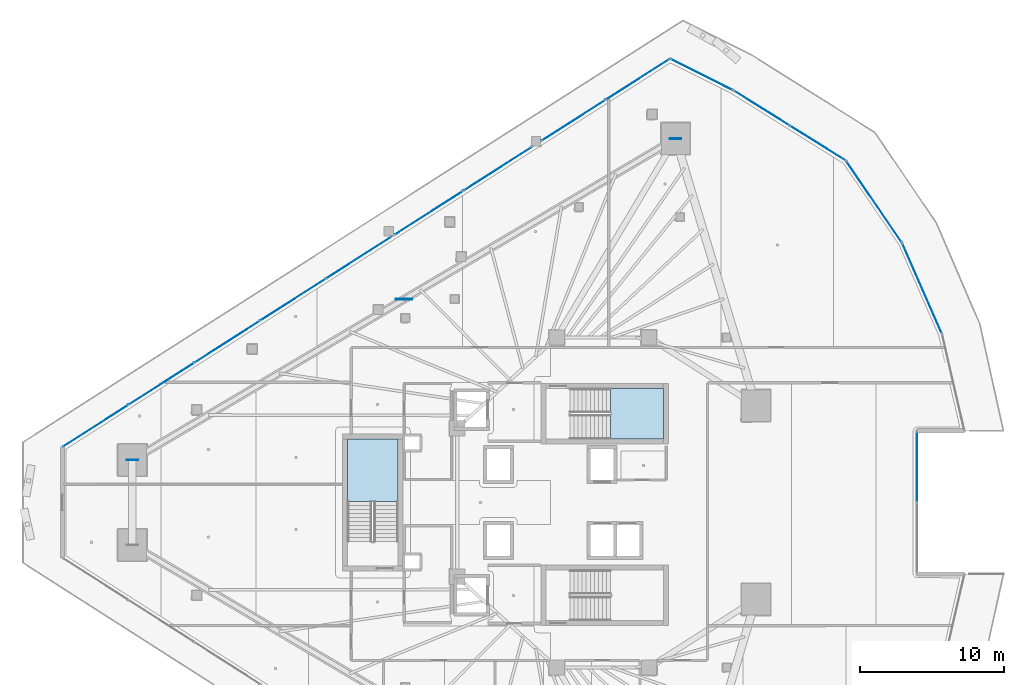
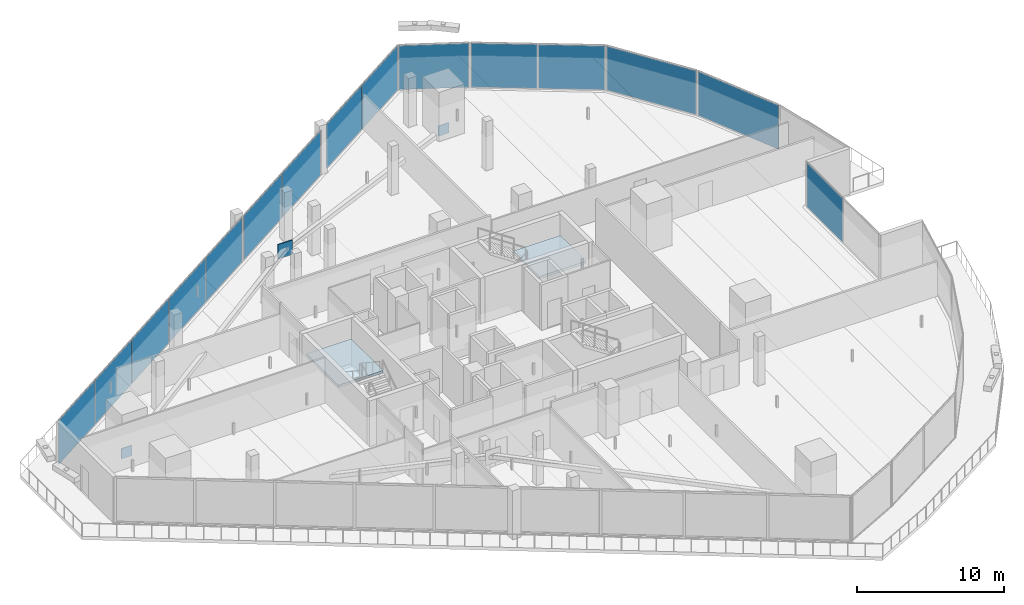
# One storey, part 29 of 45: 18 plates, 2 slabs, 10 elements without a shape of their own.
"""IFC4 building model written with IfcOpenShell, lengths in metres."""

from ifc_helpers import new_model, si_unit, direction, frame, origin, origin_2d, place, context, subcontext, project, spatial, polyline, rectangle, outline, extrude, material, layer, layer_set, type_object, element, aggregate, save


model = new_model("IFC4")

# Units and contexts
model_context = context("Model", 3, precision=1e-05, world=origin(), true_north=direction((0.0, 1.0)))
body_context = subcontext(model_context, "Body", "Model", "MODEL_VIEW")
ifc_project = project(units=[si_unit("LENGTHUNIT", "METRE"), si_unit("AREAUNIT", "SQUARE_METRE"), si_unit("VOLUMEUNIT", "CUBIC_METRE"), si_unit("PLANEANGLEUNIT", "RADIAN"), si_unit("MASSUNIT", "GRAM", prefix="KILO")], contexts=[model_context])

# Site, building, storey
site_placement = place(None, origin())
site = spatial("IfcSite", under=ifc_project, at=site_placement, CompositionType="ELEMENT")
building_placement = place(site_placement, origin())
building = spatial("IfcBuilding", under=site, at=building_placement, Name="Qorvath Tower", CompositionType="ELEMENT")
storey_placement = place(building_placement, frame((0.0, 0.0, 126.0)))
storey = spatial("IfcBuildingStorey", under=building, at=storey_placement, Name="L28", CompositionType="ELEMENT", Elevation=126.0)

# Curtain wall, plate
ifc_material_1 = material(Name="Anodised aluminium and triple low-E glass", Category="aluminium")
ifc_layer_1 = layer(ifc_material_1, 0.179931640625)
ifc_layer_set_1 = layer_set([ifc_layer_1], Name="CW-SYS-2")
curtain_wall_type = type_object("IfcCurtainWallType", Name="CW-SYS-2", PredefinedType="NOTDEFINED", material=ifc_layer_set_1)
curtain_wall_1_placement = place(storey_placement, origin())
curtain_wall_1 = element("IfcCurtainWall", 1, at=curtain_wall_1_placement, inside=storey, type_object=curtain_wall_type, Name="Curtain Wall CW-2 CW-T-L28-9.1", PredefinedType="NOTDEFINED")
ifc_material_2 = material(Name="Low-E triple insulated glass", Category="glass")
ifc_layer_2 = layer(ifc_material_2, 0.031982421875)
ifc_layer_set_2 = layer_set([ifc_layer_2], Name="CWP-GLZ-32")
plate_type_1 = type_object("IfcPlateType", Name="CWP-GLZ-32", PredefinedType="CURTAIN_PANEL", material=ifc_layer_set_2)
plate_1_placement = place(storey_placement, frame((1.386962890625, 2.4677734375, 0.06494140625), z_axis=(0.0, 0.0, 1.0), x_axis=(0.0, 1.0, 0.0)))
plate_1 = element("IfcPlate", 2, at=plate_1_placement, type_object=plate_type_1, Name="CW-2 panel 2.1", PredefinedType="CURTAIN_PANEL", context=body_context, shape_type="SweptSolid", body=[
    extrude(rectangle(XDim=4.87060546875, YDim=0.031982421875, at=origin_2d()), origin(), (0.0, 0.0, 1.0), 3.639892578125),
])
aggregate(curtain_wall_1, [plate_1])

curtain_wall_2_placement = place(storey_placement, origin())
curtain_wall_2 = element("IfcCurtainWall", 3, at=curtain_wall_2_placement, inside=storey, type_object=curtain_wall_type, Name="Curtain Wall CW-2 CW-T-L28-12.1", PredefinedType="NOTDEFINED")
plate_2_placement = place(storey_placement, frame((1.75830078125, 14.852294921875, 0.06494140625), z_axis=(0.0, 0.0, 1.0), x_axis=(-0.401648703602, 0.915793818987, 0.0)))
plate_2 = element("IfcPlate", 4, at=plate_2_placement, type_object=plate_type_1, Name="CW-2 panel 1.1", PredefinedType="CURTAIN_PANEL", context=body_context, shape_type="SweptSolid", body=[
    extrude(rectangle(XDim=6.771484375, YDim=0.031982421875, at=origin_2d()), origin(), (0.0, 0.0, 1.0), 3.639892578125),
])
aggregate(curtain_wall_2, [plate_2])

curtain_wall_3_placement = place(storey_placement, origin())
curtain_wall_3 = element("IfcCurtainWall", 5, at=curtain_wall_3_placement, inside=storey, type_object=curtain_wall_type, Name="Curtain Wall CW-2 CW-T-L28-13.1", PredefinedType="NOTDEFINED")
plate_3_placement = place(storey_placement, frame((-1.574462890625, 20.861572265625, 0.06494140625), z_axis=(0.0, 0.0, 1.0), x_axis=(-0.564163835208, 0.825662865244, 0.0)))
plate_3 = element("IfcPlate", 6, at=plate_3_placement, type_object=plate_type_1, Name="CW-2 panel 1.1", PredefinedType="CURTAIN_PANEL", context=body_context, shape_type="SweptSolid", body=[
    extrude(rectangle(XDim=6.771484375, YDim=0.031982421875, at=origin_2d()), origin(), (0.0, 0.0, 1.0), 3.639892578125),
])
aggregate(curtain_wall_3, [plate_3])

# Curtain wall, plates
curtain_wall_4_placement = place(storey_placement, origin())
curtain_wall_4 = element("IfcCurtainWall", 7, at=curtain_wall_4_placement, inside=storey, type_object=curtain_wall_type, Name="Curtain Wall CW-2 CW-T-L28-14.1", PredefinedType="NOTDEFINED")
plate_4_placement = place(storey_placement, frame((-5.4892578125, 24.939208984375, 0.06494140625), z_axis=(0.0, 0.0, 1.0), x_axis=(-0.84830786263, 0.529503324069, 0.0)))
plate_4 = element("IfcPlate", 8, at=plate_4_placement, type_object=plate_type_1, Name="CW-2 panel 1.1", PredefinedType="CURTAIN_PANEL", context=body_context, shape_type="SweptSolid", body=[
    extrude(rectangle(XDim=4.510009765625, YDim=0.031982421875, at=origin_2d()), origin(), (0.0, 0.0, 1.0), 3.639892578125),
])
plate_5_placement = place(storey_placement, frame((-9.370361328125, 27.361572265625, 0.06494140625), z_axis=(0.0, 0.0, 1.0), x_axis=(-0.84830786263, 0.529503324069, 0.0)))
plate_5 = element("IfcPlate", 9, at=plate_5_placement, type_object=plate_type_1, Name="CW-2 panel 2.1", PredefinedType="CURTAIN_PANEL", context=body_context, shape_type="SweptSolid", body=[
    extrude(rectangle(XDim=4.510009765625, YDim=0.031982421875, at=origin_2d()), origin(), (0.0, 0.0, 1.0), 3.639892578125),
])
aggregate(curtain_wall_4, [plate_4, plate_5])

# Curtain wall, plate
curtain_wall_5_placement = place(storey_placement, origin())
curtain_wall_5 = element("IfcCurtainWall", 10, at=curtain_wall_5_placement, inside=storey, type_object=curtain_wall_type, Name="Curtain Wall CW-2 CW-T-L28-15.1", PredefinedType="NOTDEFINED")
plate_6_placement = place(storey_placement, frame((-13.53759765625, 29.68994140625, 0.06494140625), z_axis=(0.0, 0.0, 1.0), x_axis=(-0.894402787992, 0.447262398188, 0.0)))
plate_6 = element("IfcPlate", 11, at=plate_6_placement, type_object=plate_type_1, Name="CW-2 panel 1.1", PredefinedType="CURTAIN_PANEL", context=body_context, shape_type="SweptSolid", body=[
    extrude(rectangle(XDim=4.78759765625, YDim=0.031982421875, at=origin_2d()), origin(), (0.0, 0.0, 1.0), 3.639892578125),
])
aggregate(curtain_wall_5, [plate_6])

# Curtain wall, plates
curtain_wall_6_placement = place(storey_placement, origin())
curtain_wall_6 = element("IfcCurtainWall", 12, at=curtain_wall_6_placement, inside=storey, type_object=curtain_wall_type, Name="Curtain Wall CW-2 CW-T-L28-16.1", PredefinedType="NOTDEFINED")
plate_7_placement = place(storey_placement, frame((-17.983154296875, 29.353759765625, 0.06494140625), z_axis=(0.0, 0.0, 1.0), x_axis=(-0.842594581481, -0.538548392681, 0.0)))
plate_7 = element("IfcPlate", 13, at=plate_7_placement, type_object=plate_type_1, Name="CW-2 panel 1.1", PredefinedType="CURTAIN_PANEL", context=body_context, shape_type="SweptSolid", body=[
    extrude(rectangle(XDim=5.201904296875, YDim=0.031982421875, at=origin_2d()), origin(), (0.0, 0.0, 1.0), 3.639892578125),
])
plate_8_placement = place(storey_placement, frame((-22.421142578125, 26.517333984375, 0.06494140625), z_axis=(0.0, 0.0, 1.0), x_axis=(-0.842594581481, -0.538548392681, 0.0)))
plate_8 = element("IfcPlate", 14, at=plate_8_placement, type_object=plate_type_1, Name="CW-2 panel 2.1", PredefinedType="CURTAIN_PANEL", context=body_context, shape_type="SweptSolid", body=[
    extrude(rectangle(XDim=5.201904296875, YDim=0.031982421875, at=origin_2d()), origin(), (0.0, 0.0, 1.0), 3.639892578125),
])
aggregate(curtain_wall_6, [plate_7, plate_8])

curtain_wall_7_placement = place(storey_placement, origin())
curtain_wall_7 = element("IfcCurtainWall", 15, at=curtain_wall_7_placement, inside=storey, type_object=curtain_wall_type, Name="Curtain Wall CW-2 CW-T-L28-16.2", PredefinedType="NOTDEFINED")
plate_9_placement = place(storey_placement, frame((-27.69580078125, 23.146240234375, 0.06494140625), z_axis=(0.0, 0.0, 1.0), x_axis=(-0.842606643442, -0.538529520478, 0.0)))
plate_9 = element("IfcPlate", 16, at=plate_9_placement, type_object=plate_type_1, Name="CW-2 panel 1.1", PredefinedType="CURTAIN_PANEL", context=body_context, shape_type="SweptSolid", body=[
    extrude(rectangle(XDim=5.5986328125, YDim=0.031982421875, at=origin_2d()), origin(), (0.0, 0.0, 1.0), 3.639892578125),
])
plate_10_placement = place(storey_placement, frame((-32.468017578125, 20.095947265625, 0.06494140625), z_axis=(0.0, 0.0, 1.0), x_axis=(-0.842606643442, -0.538529520478, 0.0)))
plate_10 = element("IfcPlate", 17, at=plate_10_placement, type_object=plate_type_1, Name="CW-2 panel 2.1", PredefinedType="CURTAIN_PANEL", context=body_context, shape_type="SweptSolid", body=[
    extrude(rectangle(XDim=5.5986328125, YDim=0.031982421875, at=origin_2d()), origin(), (0.0, 0.0, 1.0), 3.639892578125),
])
aggregate(curtain_wall_7, [plate_9, plate_10])

curtain_wall_8_placement = place(storey_placement, origin())
curtain_wall_8 = element("IfcCurtainWall", 18, at=curtain_wall_8_placement, inside=storey, type_object=curtain_wall_type, Name="Curtain Wall CW-2 CW-T-L28-16.3", PredefinedType="NOTDEFINED")
plate_11_placement = place(storey_placement, frame((-37.328857421875, 16.989501953125, 0.06494140625), z_axis=(0.0, 0.0, 1.0), x_axis=(-0.842603667285, -0.538534177075, 0.0)))
plate_11 = element("IfcPlate", 19, at=plate_11_placement, type_object=plate_type_1, Name="CW-2 panel 1.1", PredefinedType="CURTAIN_PANEL", context=body_context, shape_type="SweptSolid", body=[
    extrude(rectangle(XDim=5.32861328125, YDim=0.031982421875, at=origin_2d()), origin(), (0.0, 0.0, 1.0), 3.639892578125),
])
plate_12_placement = place(storey_placement, frame((-41.88720703125, 14.075927734375, 0.06494140625), z_axis=(0.0, 0.0, 1.0), x_axis=(-0.842603667285, -0.538534177075, 0.0)))
plate_12 = element("IfcPlate", 20, at=plate_12_placement, type_object=plate_type_1, Name="CW-2 panel 2.1", PredefinedType="CURTAIN_PANEL", context=body_context, shape_type="SweptSolid", body=[
    extrude(rectangle(XDim=5.361083984375, YDim=0.031982421875, at=origin_2d()), origin(), (0.0, 0.0, 1.0), 3.639892578125),
])
plate_13_placement = place(storey_placement, frame((-46.459228515625, 11.15380859375, 0.06494140625), z_axis=(0.0, 0.0, 1.0), x_axis=(-0.842603667285, -0.538534177075, 0.0)))
plate_13 = element("IfcPlate", 21, at=plate_13_placement, type_object=plate_type_1, Name="CW-2 panel 3.1", PredefinedType="CURTAIN_PANEL", context=body_context, shape_type="SweptSolid", body=[
    extrude(rectangle(XDim=5.361083984375, YDim=0.031982421875, at=origin_2d()), origin(), (0.0, 0.0, 1.0), 3.639892578125),
])
plate_14_placement = place(storey_placement, frame((-51.03125, 8.231689453125, 0.06494140625), z_axis=(0.0, 0.0, 1.0), x_axis=(-0.842603667285, -0.538534177075, 0.0)))
plate_14 = element("IfcPlate", 22, at=plate_14_placement, type_object=plate_type_1, Name="CW-2 panel 4.1", PredefinedType="CURTAIN_PANEL", context=body_context, shape_type="SweptSolid", body=[
    extrude(rectangle(XDim=5.361083984375, YDim=0.031982421875, at=origin_2d()), origin(), (0.0, 0.0, 1.0), 3.639892578125),
])
plate_15_placement = place(storey_placement, frame((-55.589599609375, 5.318359375, 0.06494140625), z_axis=(0.0, 0.0, 1.0), x_axis=(-0.842603667285, -0.538534177075, 0.0)))
plate_15 = element("IfcPlate", 23, at=plate_15_placement, type_object=plate_type_1, Name="CW-2 panel 5.1", PredefinedType="CURTAIN_PANEL", context=body_context, shape_type="SweptSolid", body=[
    extrude(rectangle(XDim=5.32861328125, YDim=0.031982421875, at=origin_2d()), origin(), (0.0, 0.0, 1.0), 3.639892578125),
])
aggregate(curtain_wall_8, [plate_11, plate_12, plate_13, plate_14, plate_15])

# Plates
ifc_material_3 = material(Name="Steel ASTM A572 Grade 50", Category="steel")
ifc_layer_3 = layer(ifc_material_3, 0.054931640625)
ifc_layer_set_3 = layer_set([ifc_layer_3], Name="PL-MBN1")
plate_type_2 = type_object("IfcPlateType", Name="PL-MBN1", PredefinedType="USERDEFINED", material=ifc_layer_set_3)
plate_16_placement = place(storey_placement, frame((-34.19677734375, 14.098388671875, 2.81982421875), z_axis=(0.0, 0.0, 1.0), x_axis=(1.0, 0.0, 0.0)))
element("IfcPlate", 24, at=plate_16_placement, inside=storey, type_object=plate_type_2, Name="Mega-Brace Chevron Apex Gusset L28-1", ObjectType="GUSSET", PredefinedType="USERDEFINED", context=body_context, shape_type="SweptSolid", body=[
    extrude(rectangle(XDim=1.14990234375, YDim=0.054931640625, at=origin_2d()), origin(), (0.0, 0.0, 1.0), 1.199951171875),
])
for number, where, z_axis, x_axis, name in (
    (25, (-15.34423828125, 25.24609375, -0.425048828125), (0.0, 0.0, 1.0), (1.0, 0.0, 0.0), "Brace Strut End Gusset Plate NDBG-089"),
    (26, (-53.04931640625, 2.95068359375, -0.425048828125), (0.0, 0.0, 1.0), (1.0, 0.0, 0.0), "Brace Strut End Gusset Plate NDBG-090"),
):
    element("IfcPlate", number, at=place(storey_placement, frame(where, z_axis=z_axis, x_axis=x_axis)), inside=storey, type_object=plate_type_2, Name=name, ObjectType="GUSSET", PredefinedType="USERDEFINED", context=body_context, shape_type="SweptSolid", body=[
        extrude(rectangle(XDim=0.800048828125, YDim=0.054931640625, at=origin_2d()), origin(), (0.0, 0.0, 1.0), 0.85009765625),
    ])

# Stair, slab
ifc_material_4 = material(Name="Concrete C50/60", Category="concrete")
stair_type = type_object("IfcStairType", Name="ST-H405", PredefinedType="HALF_TURN_STAIR", material=ifc_material_4)
stair_1_placement = place(storey_placement, origin())
stair_1 = element("IfcStair", 27, at=stair_1_placement, inside=storey, type_object=stair_type, Name="L28 Tower Exit Stair 1", PredefinedType="HALF_TURN_STAIR")
ifc_material_5 = material(Name="Concrete C50/60", Category="concrete")
ifc_layer_4 = layer(ifc_material_5, 0.199951171875)
ifc_layer_set_4 = layer_set([ifc_layer_4], Name="SL-LND-200")
slab_type = type_object("IfcSlabType", Name="SL-LND-200", PredefinedType="LANDING", material=ifc_layer_set_4)
slab_1_placement = place(storey_placement, frame((0.0, 0.0, 1.824951171875)))
slab_1 = element("IfcSlab", 28, at=slab_1_placement, type_object=slab_type, Name="TS1 landing 1", PredefinedType="LANDING", context=body_context, shape_type="SweptSolid", body=[
    extrude(outline(polyline([(-19.8701171875, 4.39990234375), (-16.199951171875, 4.39990234375), (-16.199951171875, 7.909912109375), (-19.8701171875, 7.909912109375), (-19.8701171875, 4.39990234375)])), origin(), (0.0, 0.0, 1.0), 0.199951171875),
])
aggregate(stair_1, [slab_1])

stair_2_placement = place(storey_placement, origin())
stair_2 = element("IfcStair", 29, at=stair_2_placement, inside=storey, type_object=stair_type, Name="L28 Tower Exit Stair 3", PredefinedType="HALF_TURN_STAIR")
slab_2_placement = place(storey_placement, frame((0.0, 0.0, 1.824951171875)))
slab_2 = element("IfcSlab", 30, at=slab_2_placement, type_object=slab_type, Name="TS3 landing 1", PredefinedType="LANDING", context=body_context, shape_type="SweptSolid", body=[
    extrude(outline(polyline([(-34.60009765625, 0.080078125), (-34.60009765625, 4.39990234375), (-38.110107421875, 4.39990234375), (-38.110107421875, 0.080078125), (-34.60009765625, 0.080078125)])), origin(), (0.0, 0.0, 1.0), 0.199951171875),
])
aggregate(stair_2, [slab_2])

save(model, "model.ifc")
